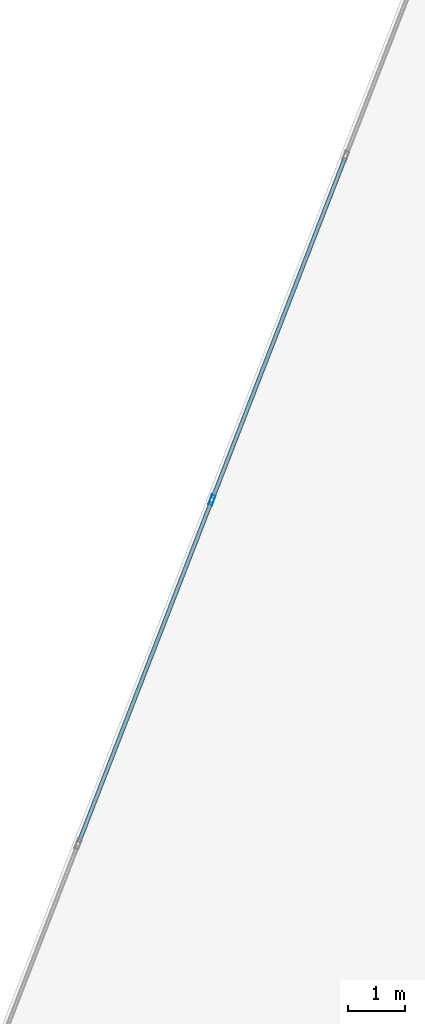
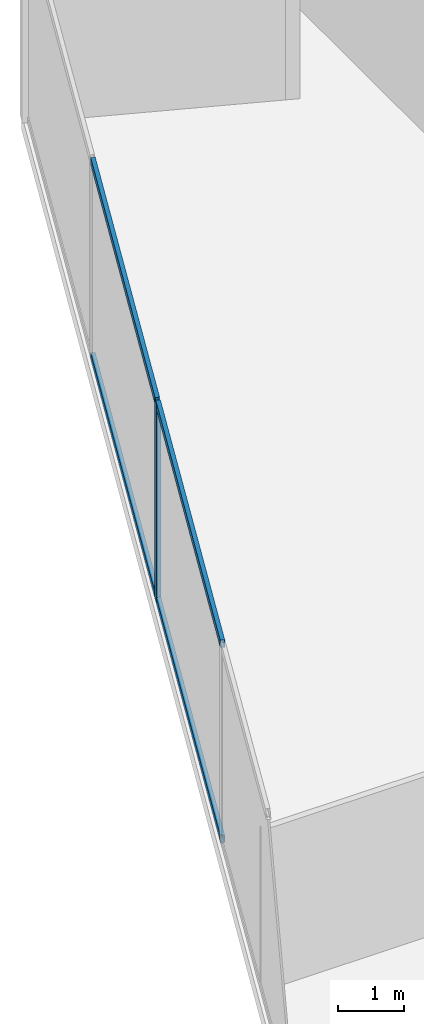
# One storey, part 14 of 26: 5 members, 1 element without a shape of its own.
"""IFC4 building model written with IfcOpenShell, lengths in metres."""

from ifc_helpers import new_model, si_unit, direction, frame, origin, origin_2d, place, context, subcontext, project, spatial, hollow_rectangle, extrude, source, transform, mapped, material, material_profile, profile_set, type_object, type_shapes, element, aggregate, save


model = new_model("IFC4")

# Units and contexts
model_context = context("Model", 3, precision=1e-05, world=origin(), true_north=direction((0.0, 1.0)))
body_context = subcontext(model_context, "Body", "Model", "MODEL_VIEW")
ifc_project = project(units=[si_unit("LENGTHUNIT", "METRE"), si_unit("AREAUNIT", "SQUARE_METRE"), si_unit("VOLUMEUNIT", "CUBIC_METRE"), si_unit("PLANEANGLEUNIT", "RADIAN"), si_unit("MASSUNIT", "GRAM", prefix="KILO")], contexts=[model_context])

# Site, building, storey
site_placement = place(None, origin())
site = spatial("IfcSite", under=ifc_project, at=site_placement, CompositionType="ELEMENT")
building_placement = place(site_placement, origin())
building = spatial("IfcBuilding", under=site, at=building_placement, Name="Krantzveldt Concourse Tower", CompositionType="ELEMENT")
storey_placement = place(building_placement, frame((0.0, 0.0, 133.5)))
storey = spatial("IfcBuildingStorey", under=building, at=storey_placement, Name="L32", CompositionType="ELEMENT", Elevation=133.5)

# Curtain wall, members
ifc_material = material(Name="Anodised aluminium 6063-T6", Category="aluminium")
curtain_wall_type = type_object("IfcCurtainWallType", Name="CW2", PredefinedType="USERDEFINED", material=ifc_material)
curtain_wall_placement = place(storey_placement, origin())
curtain_wall = element("IfcCurtainWall", 1, at=curtain_wall_placement, inside=storey, type_object=curtain_wall_type, Name="CW-L32-F01", ObjectType="UNITISED CURTAIN WALL", PredefinedType="USERDEFINED")
ifc_material_profile_1 = material_profile(ifc_material, hollow_rectangle(XDim=0.070068359375, YDim=0.179931640625, WallThickness=0.0048828125, at=origin_2d()), Name="Anodised aluminium 6063-T6", Category="aluminium")
ifc_profile_set_1 = profile_set([ifc_material_profile_1], Name="Anodised aluminium 6063-T6 - ALU-MULL 180x70x5")
member_type_1 = type_object("IfcMemberType", Name="CW-MUL-180", PredefinedType="MULLION", material=ifc_profile_set_1)
shared_shape_1 = source(origin(), body_context, "Body", "SweptSolid", [
    extrude(hollow_rectangle(XDim=0.070068359375, YDim=0.179931640625, WallThickness=0.0048828125, at=origin_2d()), origin(), (0.0, 0.0, 1.0), 3.669921875),
])
type_shapes(member_type_1, [shared_shape_1])
member_1_placement = place(storey_placement, frame((16.61865234375, 41.17529296875, 0.0), z_axis=(0.0, 0.0, 1.0), x_axis=(0.93200790248, -0.362437952917, 0.0)))
member_1 = element("IfcMember", 2, at=member_1_placement, type_object=member_type_1, Name="CW-Z12 mullion 3", PredefinedType="MULLION", context=body_context, shape_type="MappedRepresentation", body=[
    mapped(shared_shape_1, transform((0.0, 0.0, 0.0), x_axis=(1.0, 0.0, 0.0), y_axis=(0.0, 1.0, 0.0), z_axis=(0.0, 0.0, 1.0), scale=1.0)),
])
ifc_material_profile_2 = material_profile(ifc_material, hollow_rectangle(XDim=0.070068359375, YDim=0.139892578125, WallThickness=0.0048828125, at=origin_2d()), Name="Anodised aluminium 6063-T6", Category="aluminium")
ifc_profile_set_2 = profile_set([ifc_material_profile_2], Name="Anodised aluminium 6063-T6 - ALU-TRAN 140x70x5")
member_type_2 = type_object("IfcMemberType", Name="CW-TRN-150", PredefinedType="USERDEFINED", material=ifc_profile_set_2)
shared_shape_2 = source(origin(), body_context, "Body", "SweptSolid", [
    extrude(hollow_rectangle(XDim=0.070068359375, YDim=0.139892578125, WallThickness=0.0048828125, at=origin_2d()), origin(), (0.0, 0.0, 1.0), 6.396484375),
])
type_shapes(member_type_2, [shared_shape_2])
member_2_placement = place(storey_placement, frame((18.94970703125, 47.169677734375, 0.034912109375), z_axis=(-0.36243705186, -0.932008252882, 0.0), x_axis=(0.932008252882, -0.36243705186, 0.0)))
member_2 = element("IfcMember", 3, at=member_2_placement, type_object=member_type_2, Name="CW-Z12 transom 2.1", ObjectType="TRANSOM", PredefinedType="USERDEFINED", context=body_context, shape_type="MappedRepresentation", body=[
    mapped(shared_shape_2, transform((0.0, 0.0, 0.0), x_axis=(1.0, 0.0, 0.0), y_axis=(0.0, 1.0, 0.0), z_axis=(0.0, 0.0, 1.0), scale=1.0)),
])
member_3_placement = place(storey_placement, frame((18.94970703125, 47.169677734375, 3.635009765625), z_axis=(-0.36243705186, -0.932008252882, 0.0), x_axis=(0.932008252882, -0.36243705186, 0.0)))
member_3 = element("IfcMember", 4, at=member_3_placement, type_object=member_type_2, Name="CW-Z12 transom 2.2", ObjectType="TRANSOM", PredefinedType="USERDEFINED", context=body_context, shape_type="MappedRepresentation", body=[
    mapped(shared_shape_2, transform((0.0, 0.0, 0.0), x_axis=(1.0, 0.0, 0.0), y_axis=(0.0, 1.0, 0.0), z_axis=(0.0, 0.0, 1.0), scale=1.0)),
])
member_4_placement = place(storey_placement, frame((16.60595703125, 41.142822265625, 0.034912109375), z_axis=(-0.36243705186, -0.932008252882, 0.0), x_axis=(0.932008252882, -0.36243705186, 0.0)))
member_4 = element("IfcMember", 5, at=member_4_placement, type_object=member_type_2, Name="CW-Z12 transom 3.1", ObjectType="TRANSOM", PredefinedType="USERDEFINED", context=body_context, shape_type="MappedRepresentation", body=[
    mapped(shared_shape_2, transform((0.0, 0.0, 0.0), x_axis=(1.0, 0.0, 0.0), y_axis=(0.0, 1.0, 0.0), z_axis=(0.0, 0.0, 1.0), scale=1.0)),
])
member_5_placement = place(storey_placement, frame((16.60595703125, 41.142822265625, 3.635009765625), z_axis=(-0.36243705186, -0.932008252882, 0.0), x_axis=(0.932008252882, -0.36243705186, 0.0)))
member_5 = element("IfcMember", 6, at=member_5_placement, type_object=member_type_2, Name="CW-Z12 transom 3.2", ObjectType="TRANSOM", PredefinedType="USERDEFINED", context=body_context, shape_type="MappedRepresentation", body=[
    mapped(shared_shape_2, transform((0.0, 0.0, 0.0), x_axis=(1.0, 0.0, 0.0), y_axis=(0.0, 1.0, 0.0), z_axis=(0.0, 0.0, 1.0), scale=1.0)),
])
aggregate(curtain_wall, [member_1, member_2, member_3, member_4, member_5])

save(model, "model.ifc")
